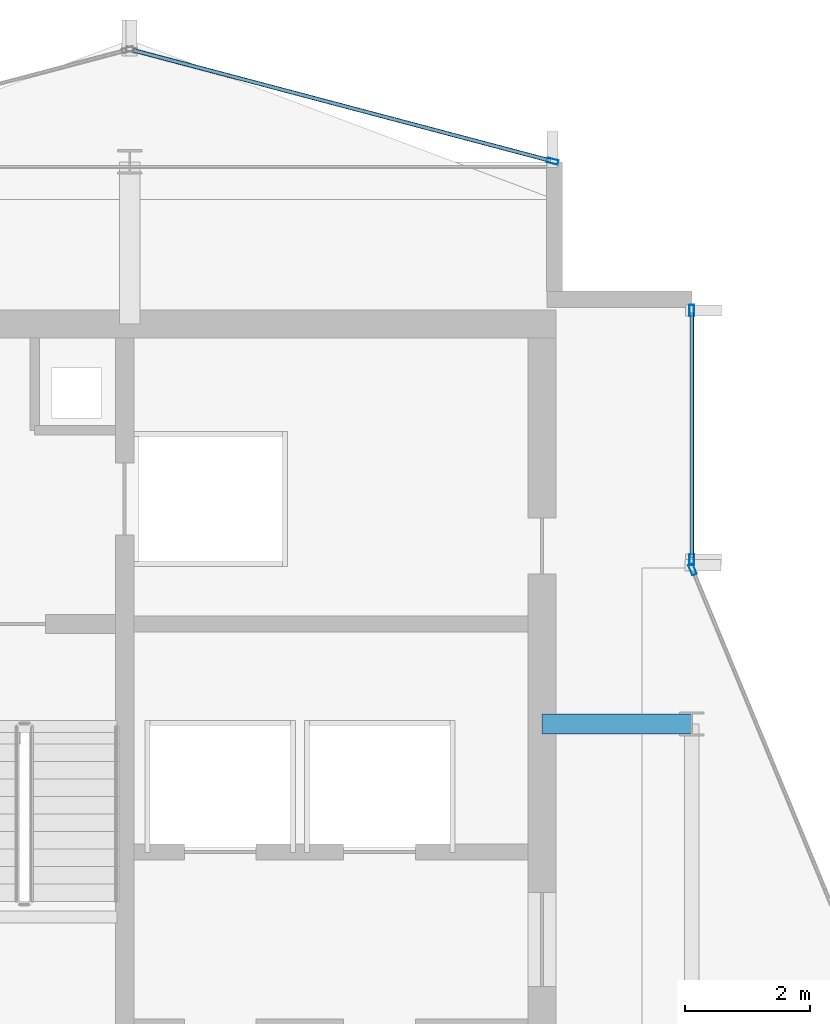
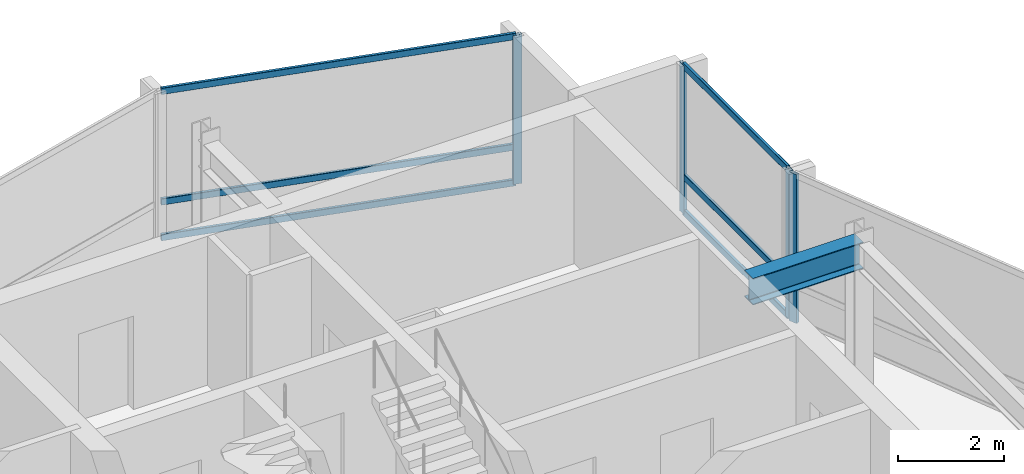
# One storey, part 12 of 19: 10 members, 1 beam, 3 elements without a shape of their own.
"""IFC4 building model written with IfcOpenShell, lengths in metres."""

from ifc_helpers import new_model, si_unit, direction, frame, origin, origin_2d, place, context, subcontext, project, spatial, hollow_rectangle, i_section, extrude, material, layer, layer_set, material_profile, profile_set, type_object, element, aggregate, save


model = new_model("IFC4")

# Units and contexts
model_context = context("Model", 3, precision=1e-05, world=origin(), true_north=direction((0.0, 1.0)))
body_context = subcontext(model_context, "Body", "Model", "MODEL_VIEW")
ifc_project = project(units=[si_unit("LENGTHUNIT", "METRE"), si_unit("AREAUNIT", "SQUARE_METRE"), si_unit("VOLUMEUNIT", "CUBIC_METRE"), si_unit("PLANEANGLEUNIT", "RADIAN"), si_unit("MASSUNIT", "GRAM", prefix="KILO")], contexts=[model_context])

# Site, building, storey
site_placement = place(None, origin())
site = spatial("IfcSite", under=ifc_project, at=site_placement, CompositionType="ELEMENT")
building_placement = place(site_placement, origin())
building = spatial("IfcBuilding", under=site, at=building_placement, Name="Solvaryn Broadcast Tower", CompositionType="ELEMENT")
storey_placement = place(building_placement, frame((0.0, 0.0, 240.800048828125)))
storey = spatial("IfcBuildingStorey", under=building, at=storey_placement, Name="L60", CompositionType="ELEMENT", Elevation=240.800048828125)

# Beam
ifc_material_1 = material(Name="Steel ASTM A992 Grade 50", Category="steel")
ifc_material_profile_1 = material_profile(ifc_material_1, i_section(OverallWidth=0.323974609375, OverallDepth=0.611083984375, WebThickness=0.0126953125, FlangeThickness=0.01904296875, FilletRadius=0.014892578125, at=origin_2d()))
ifc_profile_set_1 = profile_set([ifc_material_profile_1], Name="Steel ASTM A992 Grade 50")
beam_type = type_object("IfcBeamType", Name="BM-B1-W24X104", PredefinedType="BEAM", material=ifc_profile_set_1)
beam_placement = place(storey_placement, frame((24.60009765625, 36.0, 3.114501953125), z_axis=(1.0, 0.0, 0.0), x_axis=(0.0, 1.0, 0.0)))
element("IfcBeam", 1, at=beam_placement, inside=storey, type_object=beam_type, Name="L60 Core Tie Beam CTW2", PredefinedType="BEAM", context=body_context, shape_type="SweptSolid", body=[
    extrude(i_section(OverallWidth=0.323974609375, OverallDepth=0.611083984375, WebThickness=0.0126953125, FlangeThickness=0.01904296875, FilletRadius=0.014892578125, at=origin_2d()), origin(), (0.0, 0.0, 1.0), 2.39990234375),
])

# Curtain wall, members
ifc_material_2 = material(Name="Aluminium and Terracotta Unitised Curtain Wall", Category="masonry")
ifc_layer = layer(ifc_material_2, 0.199951171875)
ifc_layer_set = layer_set([ifc_layer], Name="CW-SYS2-LOWMID")
curtain_wall_type = type_object("IfcCurtainWallType", Name="CW-SYS2-LOWMID", PredefinedType="NOTDEFINED", material=ifc_layer_set)
curtain_wall_1_placement = place(storey_placement, origin())
curtain_wall_1 = element("IfcCurtainWall", 2, at=curtain_wall_1_placement, inside=storey, type_object=curtain_wall_type, Name="L60 Curtain Wall IV", PredefinedType="NOTDEFINED")
ifc_material_3 = material(Name="Anodised Aluminium 6063-T6", Category="aluminium")
ifc_material_profile_2 = material_profile(ifc_material_3, hollow_rectangle(XDim=0.074951171875, YDim=0.179931640625, WallThickness=0.00390625, InnerFilletRadius=0.00390625, OuterFilletRadius=0.008056640625, at=origin_2d()))
ifc_profile_set_2 = profile_set([ifc_material_profile_2], Name="Anodised Aluminium 6063-T6")
member_type_1 = type_object("IfcMemberType", Name="CW-MUL-180", PredefinedType="MULLION", material=ifc_profile_set_2)
member_1_placement = place(storey_placement, frame((27.0, 42.6201171875, 0.0), z_axis=(0.0, 0.0, 1.0), x_axis=(1.0, 0.0, 0.0)))
member_1 = element("IfcMember", 3, at=member_1_placement, type_object=member_type_1, Name="CWS2 mullion 1", PredefinedType="MULLION", context=body_context, shape_type="SweptSolid", body=[
    extrude(hollow_rectangle(XDim=0.074951171875, YDim=0.179931640625, WallThickness=0.00390625, InnerFilletRadius=0.00390625, OuterFilletRadius=0.008056640625, at=origin_2d()), origin(), (0.0, 0.0, 1.0), 3.419921875),
])
member_2_placement = place(storey_placement, frame((27.0, 38.6298828125, 0.0), z_axis=(0.0, 0.0, 1.0), x_axis=(1.0, 0.0, 0.0)))
member_2 = element("IfcMember", 4, at=member_2_placement, type_object=member_type_1, Name="CWS2 mullion 2", PredefinedType="MULLION", context=body_context, shape_type="SweptSolid", body=[
    extrude(hollow_rectangle(XDim=0.074951171875, YDim=0.179931640625, WallThickness=0.00390625, InnerFilletRadius=0.00390625, OuterFilletRadius=0.008056640625, at=origin_2d()), origin(), (0.0, 0.0, 1.0), 3.419921875),
])

# Curtain wall, member
curtain_wall_2_placement = place(storey_placement, origin())
curtain_wall_2 = element("IfcCurtainWall", 5, at=curtain_wall_2_placement, inside=storey, type_object=curtain_wall_type, Name="L60 Curtain Wall CN2", PredefinedType="NOTDEFINED")
member_3_placement = place(storey_placement, frame((27.011474609375, 38.47216796875, 0.0), z_axis=(0.0, 0.0, 1.0), x_axis=(-0.923894983957, -0.382646127145, 0.0)))
member_3 = element("IfcMember", 6, at=member_3_placement, type_object=member_type_1, Name="CWS2 mullion 2", PredefinedType="MULLION", context=body_context, shape_type="SweptSolid", body=[
    extrude(hollow_rectangle(XDim=0.074951171875, YDim=0.179931640625, WallThickness=0.00390625, InnerFilletRadius=0.00390625, OuterFilletRadius=0.008056640625, at=origin_2d()), origin(), (0.0, 0.0, 1.0), 3.419921875),
])
aggregate(curtain_wall_2, [member_3])

curtain_wall_3_placement = place(storey_placement, origin())
curtain_wall_3 = element("IfcCurtainWall", 7, at=curtain_wall_3_placement, inside=storey, type_object=curtain_wall_type, Name="L60 Curtain Wall NT1", PredefinedType="NOTDEFINED")
member_4_placement = place(storey_placement, frame((24.77099609375, 45.007568359375, 0.0), z_axis=(0.0, 0.0, 1.0), x_axis=(-0.25589256031, -0.966705227863, 0.0)))
member_4 = element("IfcMember", 8, at=member_4_placement, type_object=member_type_1, Name="CWS2 mullion 1", PredefinedType="MULLION", context=body_context, shape_type="SweptSolid", body=[
    extrude(hollow_rectangle(XDim=0.074951171875, YDim=0.179931640625, WallThickness=0.00390625, InnerFilletRadius=0.00390625, OuterFilletRadius=0.008056640625, at=origin_2d()), origin(), (0.0, 0.0, 1.0), 3.419921875),
])

# Member
ifc_material_4 = material(Name="Anodised Aluminium 6063-T6", Category="aluminium")
ifc_material_profile_3 = material_profile(ifc_material_4, hollow_rectangle(XDim=0.06494140625, YDim=0.14990234375, WallThickness=0.00390625, InnerFilletRadius=0.00390625, OuterFilletRadius=0.008056640625, at=origin_2d()))
ifc_profile_set_3 = profile_set([ifc_material_profile_3], Name="Anodised Aluminium 6063-T6")
member_type_2 = type_object("IfcMemberType", Name="CW-TRN-150", PredefinedType="USERDEFINED", material=ifc_profile_set_3)
member_5_placement = place(storey_placement, frame((27.0, 42.590087890625, 0.030029296875), z_axis=(0.0, -1.0, 0.0), x_axis=(1.0, 0.0, 0.0)))
member_5 = element("IfcMember", 9, at=member_5_placement, type_object=member_type_2, Name="CWS2 transom 1.1", ObjectType="TRANSOM", PredefinedType="USERDEFINED", context=body_context, shape_type="SweptSolid", body=[
    extrude(hollow_rectangle(XDim=0.06494140625, YDim=0.14990234375, WallThickness=0.00390625, InnerFilletRadius=0.00390625, OuterFilletRadius=0.008056640625, at=origin_2d()), origin(), (0.0, 0.0, 1.0), 3.93017578125),
])

member_6_placement = place(storey_placement, frame((27.0, 42.590087890625, 0.849853515625), z_axis=(0.0, -1.0, 0.0), x_axis=(1.0, 0.0, 0.0)))
member_6 = element("IfcMember", 10, at=member_6_placement, type_object=member_type_2, Name="CWS2 transom 1.2", ObjectType="TRANSOM", PredefinedType="USERDEFINED", context=body_context, shape_type="SweptSolid", body=[
    extrude(hollow_rectangle(XDim=0.06494140625, YDim=0.14990234375, WallThickness=0.00390625, InnerFilletRadius=0.00390625, OuterFilletRadius=0.008056640625, at=origin_2d()), origin(), (0.0, 0.0, 1.0), 3.93017578125),
])

member_7_placement = place(storey_placement, frame((27.0, 42.590087890625, 3.389892578125), z_axis=(0.0, -1.0, 0.0), x_axis=(1.0, 0.0, 0.0)))
member_7 = element("IfcMember", 11, at=member_7_placement, type_object=member_type_2, Name="CWS2 transom 1.3", ObjectType="TRANSOM", PredefinedType="USERDEFINED", context=body_context, shape_type="SweptSolid", body=[
    extrude(hollow_rectangle(XDim=0.06494140625, YDim=0.14990234375, WallThickness=0.00390625, InnerFilletRadius=0.00390625, OuterFilletRadius=0.008056640625, at=origin_2d()), origin(), (0.0, 0.0, 1.0), 3.93017578125),
])

aggregate(curtain_wall_1, [member_1, member_2, member_5, member_6, member_7])

member_8_placement = place(storey_placement, frame((24.741943359375, 45.015380859375, 0.030029296875), z_axis=(-0.966703943301, 0.255897413051, 0.0), x_axis=(-0.255897413051, -0.966703943301, 0.0)))
member_8 = element("IfcMember", 12, at=member_8_placement, type_object=member_type_2, Name="CWS2 transom 1.1", ObjectType="TRANSOM", PredefinedType="USERDEFINED", context=body_context, shape_type="SweptSolid", body=[
    extrude(hollow_rectangle(XDim=0.06494140625, YDim=0.14990234375, WallThickness=0.00390625, InnerFilletRadius=0.00390625, OuterFilletRadius=0.008056640625, at=origin_2d()), origin(), (0.0, 0.0, 1.0), 6.9140625),
])

member_9_placement = place(storey_placement, frame((24.741943359375, 45.015380859375, 0.849853515625), z_axis=(-0.966703943301, 0.255897413051, 0.0), x_axis=(-0.255897413051, -0.966703943301, 0.0)))
member_9 = element("IfcMember", 13, at=member_9_placement, type_object=member_type_2, Name="CWS2 transom 1.2", ObjectType="TRANSOM", PredefinedType="USERDEFINED", context=body_context, shape_type="SweptSolid", body=[
    extrude(hollow_rectangle(XDim=0.06494140625, YDim=0.14990234375, WallThickness=0.00390625, InnerFilletRadius=0.00390625, OuterFilletRadius=0.008056640625, at=origin_2d()), origin(), (0.0, 0.0, 1.0), 6.9140625),
])

member_10_placement = place(storey_placement, frame((24.741943359375, 45.015380859375, 3.389892578125), z_axis=(-0.966703943301, 0.255897413051, 0.0), x_axis=(-0.255897413051, -0.966703943301, 0.0)))
member_10 = element("IfcMember", 14, at=member_10_placement, type_object=member_type_2, Name="CWS2 transom 1.3", ObjectType="TRANSOM", PredefinedType="USERDEFINED", context=body_context, shape_type="SweptSolid", body=[
    extrude(hollow_rectangle(XDim=0.06494140625, YDim=0.14990234375, WallThickness=0.00390625, InnerFilletRadius=0.00390625, OuterFilletRadius=0.008056640625, at=origin_2d()), origin(), (0.0, 0.0, 1.0), 6.9140625),
])

aggregate(curtain_wall_3, [member_4, member_8, member_9, member_10])

save(model, "model.ifc")
